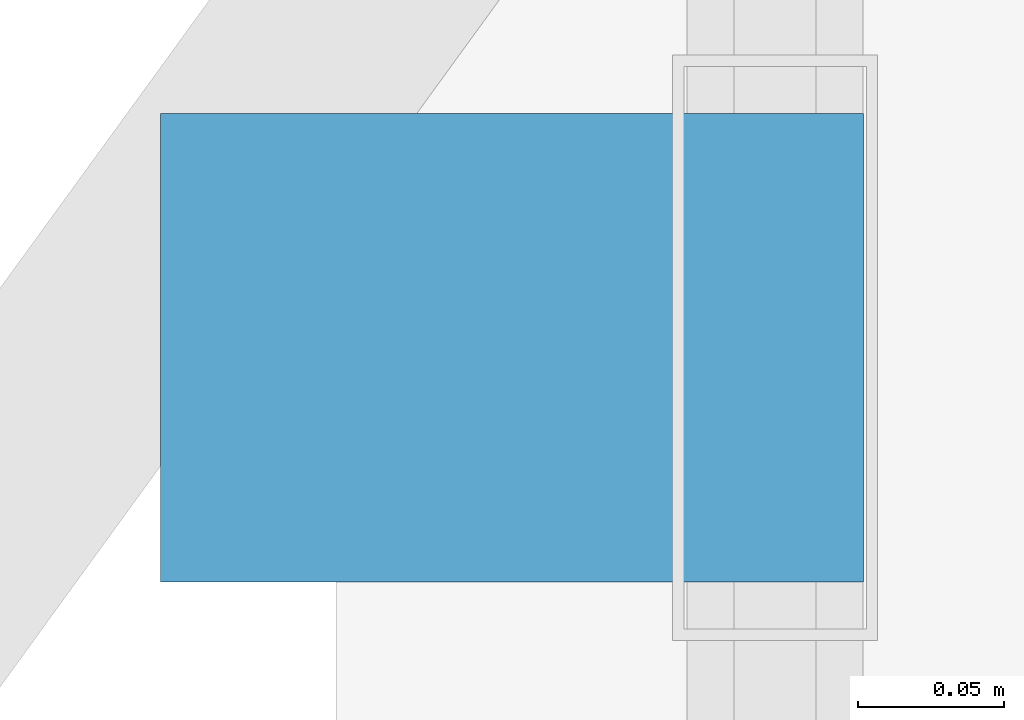
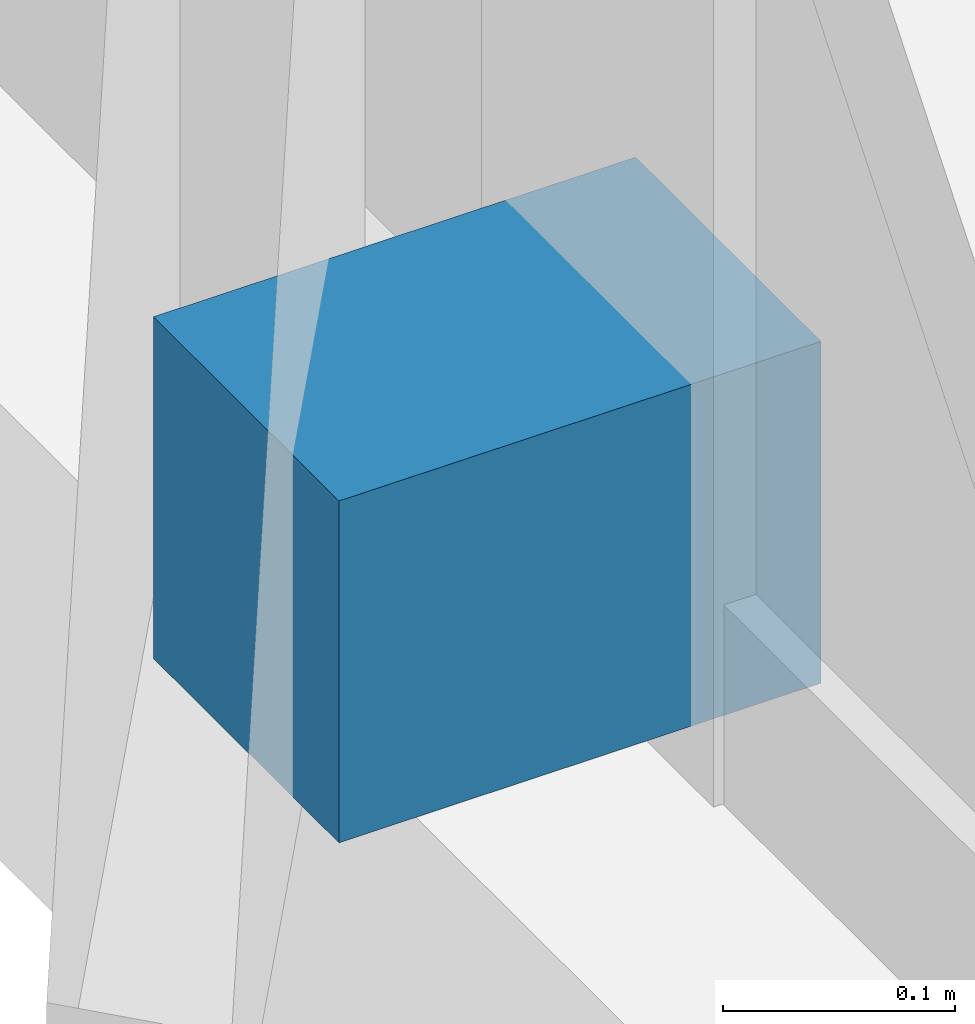
# One storey, part 24 of 26: 1 discrete accessory.
"""IFC4 building model written with IfcOpenShell, lengths in metres."""

from ifc_helpers import new_model, si_unit, direction, frame, origin, origin_2d, place, context, subcontext, project, spatial, rectangle, extrude, material, type_object, element, save


model = new_model("IFC4")

# Units and contexts
model_context = context("Model", 3, precision=1e-05, world=origin(), true_north=direction((0.0, 1.0)))
body_context = subcontext(model_context, "Body", "Model", "MODEL_VIEW")
ifc_project = project(units=[si_unit("LENGTHUNIT", "METRE"), si_unit("AREAUNIT", "SQUARE_METRE"), si_unit("VOLUMEUNIT", "CUBIC_METRE"), si_unit("PLANEANGLEUNIT", "RADIAN"), si_unit("MASSUNIT", "GRAM", prefix="KILO")], contexts=[model_context])

# Site, building, storey
site_placement = place(None, origin())
site = spatial("IfcSite", under=ifc_project, at=site_placement, CompositionType="ELEMENT")
building_placement = place(site_placement, origin())
building = spatial("IfcBuilding", under=site, at=building_placement, Name="Calvorn Quay Hotel", CompositionType="ELEMENT")
storey_placement = place(building_placement, frame((0.0, 0.0, 144.0)))
storey = spatial("IfcBuildingStorey", under=building, at=storey_placement, Name="L35", CompositionType="ELEMENT", Elevation=144.0)

# Discrete accessory
ifc_material = material(Name="Steel Q355B", Category="steel")
discrete_accessory_type = type_object("IfcDiscreteAccessoryType", Name="ACC-FIN-BRACKET", PredefinedType="BRACKET", material=ifc_material)
discrete_accessory_placement = place(storey_placement, frame((0.06005859375, 37.25, 0.0302734375), z_axis=(0.0, 0.0, 1.0), x_axis=(1.0, 0.0, 0.0)))
element("IfcDiscreteAccessory", 1, at=discrete_accessory_placement, inside=storey, type_object=discrete_accessory_type, Name="Fin Anchor Bracket L35-W03", PredefinedType="BRACKET", context=body_context, shape_type="SweptSolid", body=[
    extrude(rectangle(XDim=0.239990234375, YDim=0.159912109375, at=origin_2d()), origin(), (0.0, 0.0, 1.0), 0.179931640625),
])

save(model, "model.ifc")
